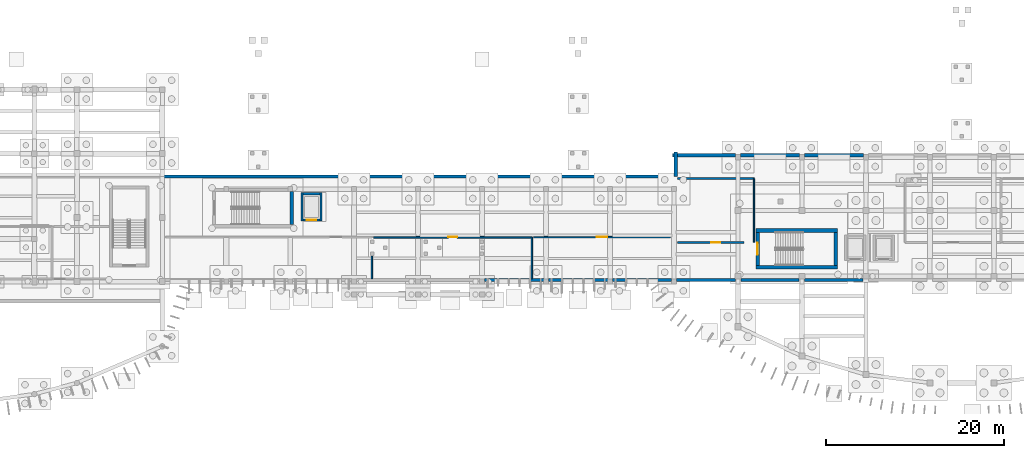
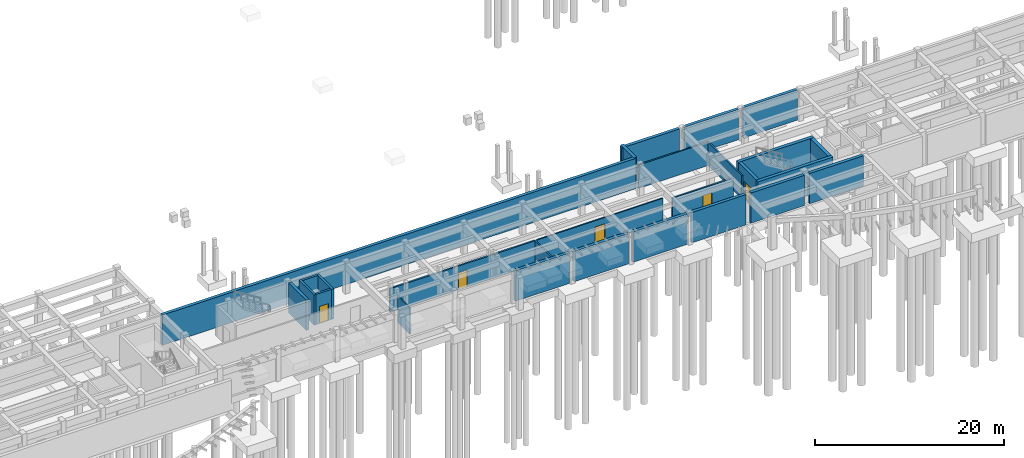
# One storey, part 17 of 31: 27 walls, 5 doors, 5 openings.
"""IFC4 building model written with IfcOpenShell, lengths in metres."""

from ifc_helpers import new_model, si_unit, direction, frame, frame_2d, origin, place, context, subcontext, project, spatial, rectangle, extrude, material, layer, layer_set, type_object, element, fill, save


model = new_model("IFC4")

# Units and contexts
model_context = context("Model", 3, precision=1e-05, world=origin(), true_north=direction((0.0, 1.0)))
body_context = subcontext(model_context, "Body", "Model", "MODEL_VIEW")
ifc_project = project(units=[si_unit("LENGTHUNIT", "METRE"), si_unit("AREAUNIT", "SQUARE_METRE"), si_unit("VOLUMEUNIT", "CUBIC_METRE"), si_unit("PLANEANGLEUNIT", "RADIAN"), si_unit("MASSUNIT", "GRAM", prefix="KILO")], contexts=[model_context])

# Site, building, storey
site_placement = place(None, origin())
site = spatial("IfcSite", under=ifc_project, at=site_placement, CompositionType="ELEMENT")
building_placement = place(site_placement, origin())
building = spatial("IfcBuilding", under=site, at=building_placement, Name="Brisavento Harbour Community Centre", CompositionType="ELEMENT")
storey_placement = place(building_placement, frame((0.0, 0.0, -4.199951171875)))
storey = spatial("IfcBuildingStorey", under=building, at=storey_placement, Name="B1", CompositionType="ELEMENT", Elevation=-4.199951171875)

# Walls
ifc_material_1 = material(Name="Concrete C35/45", Category="concrete")
ifc_layer_1 = layer(ifc_material_1, 0.3798828125, Name="Concrete C35/45")
ifc_layer_set_1 = layer_set([ifc_layer_1], Name="Concrete C35/45")
wall_type_1 = type_object("IfcWallType", Name="WL-B1-380", PredefinedType="SOLIDWALL", material=ifc_layer_set_1)
for number, where, z_axis, x_axis, name in (
    (1, (107.739990234375, 14.580078125, 0.0), (0.0, 0.0, 1.0), (-1.0, 0.0, 0.0), "B1 perimeter retaining wall 0006"),
    (2, (100.5400390625, 14.580078125, 0.0), (0.0, 0.0, 1.0), (-1.0, 0.0, 0.0), "B1 perimeter retaining wall 0007"),
):
    element("IfcWall", number, at=place(storey_placement, frame(where, z_axis=z_axis, x_axis=x_axis)), inside=storey, type_object=wall_type_1, Name=name, PredefinedType="SOLIDWALL", context=body_context, shape_type="SweptSolid", body=[
        extrude(rectangle(XDim=6.679931640625, YDim=0.3798828125, at=frame_2d((3.33984375, 0.0))), origin(), (0.0, 0.0, 1.0), 3.919921875),
    ])
wall_1_placement = place(storey_placement, frame((93.340087890625, 14.580078125, 0.0), z_axis=(0.0, 0.0, 1.0), x_axis=(-1.0, 0.0, 0.0)))
element("IfcWall", 3, at=wall_1_placement, inside=storey, type_object=wall_type_1, Name="B1 perimeter retaining wall 0008", PredefinedType="SOLIDWALL", context=body_context, shape_type="SweptSolid", body=[
    extrude(rectangle(XDim=6.68017578125, YDim=0.3798828125, at=frame_2d((3.340087890625, 0.0))), origin(), (0.0, 0.0, 1.0), 3.919921875),
])
wall_2_placement = place(storey_placement, frame((50.2099609375, 26.219970703125, 0.0), z_axis=(0.0, 0.0, 1.0), x_axis=(1.0, 0.0, 0.0)))
element("IfcWall", 4, at=wall_2_placement, inside=storey, type_object=wall_type_1, Name="B1 perimeter retaining wall 0014", PredefinedType="SOLIDWALL", context=body_context, shape_type="SweptSolid", body=[
    extrude(rectangle(XDim=57.97998046875, YDim=0.3798828125, at=frame_2d((28.989990234375, 0.0))), origin(), (0.0, 0.0, 1.0), 3.919921875),
])
for number, where, z_axis, x_axis, name in (
    (5, (129.2900390625, 14.580078125, 0.0), (0.0, 0.0, 1.0), (-1.0, 0.0, 0.0), "B1 perimeter retaining wall 0021"),
    (6, (122.090087890625, 14.580078125, 0.0), (0.0, 0.0, 1.0), (-1.0, 0.0, 0.0), "B1 perimeter retaining wall 0022"),
):
    element("IfcWall", number, at=place(storey_placement, frame(where, z_axis=z_axis, x_axis=x_axis)), inside=storey, type_object=wall_type_1, Name=name, PredefinedType="SOLIDWALL", context=body_context, shape_type="SweptSolid", body=[
        extrude(rectangle(XDim=6.580078125, YDim=0.3798828125, at=frame_2d((3.2900390625, 0.0))), origin(), (0.0, 0.0, 1.0), 3.919921875),
    ])
wall_3_placement = place(storey_placement, frame((114.889892578125, 14.580078125, 0.0), z_axis=(0.0, 0.0, 1.0), x_axis=(-1.0, 0.0, 0.0)))
element("IfcWall", 7, at=wall_3_placement, inside=storey, type_object=wall_type_1, Name="B1 perimeter retaining wall 0023", PredefinedType="SOLIDWALL", context=body_context, shape_type="SweptSolid", body=[
    extrude(rectangle(XDim=6.6298828125, YDim=0.3798828125, at=frame_2d((3.31494140625, 0.0))), origin(), (0.0, 0.0, 1.0), 3.919921875),
])
wall_4_placement = place(storey_placement, frame((107.81005859375, 28.6201171875, 0.0), z_axis=(0.0, 0.0, 1.0), x_axis=(1.0, 0.0, 0.0)))
element("IfcWall", 8, at=wall_4_placement, inside=storey, type_object=wall_type_1, Name="B1 perimeter retaining wall 0026", PredefinedType="SOLIDWALL", context=body_context, shape_type="SweptSolid", body=[
    extrude(rectangle(XDim=7.10498046875, YDim=0.3798828125, at=frame_2d((3.552490234375, 0.0))), origin(), (0.0, 0.0, 1.0), 3.919921875),
])
for number, where, z_axis, x_axis, name in (
    (9, (115.485107421875, 28.6201171875, 0.0), (0.0, 0.0, 1.0), (1.0, 0.0, 0.0), "B1 perimeter retaining wall 0027"),
    (10, (122.68505859375, 28.6201171875, 0.0), (0.0, 0.0, 1.0), (1.0, 0.0, 0.0), "B1 perimeter retaining wall 0028"),
):
    element("IfcWall", number, at=place(storey_placement, frame(where, z_axis=z_axis, x_axis=x_axis)), inside=storey, type_object=wall_type_1, Name=name, PredefinedType="SOLIDWALL", context=body_context, shape_type="SweptSolid", body=[
        extrude(rectangle(XDim=6.6298828125, YDim=0.3798828125, at=frame_2d((3.31494140625, 0.0))), origin(), (0.0, 0.0, 1.0), 3.919921875),
    ])
wall_5_placement = place(storey_placement, frame((108.179931640625, 26.2099609375, 0.0), z_axis=(0.0, 0.0, 1.0), x_axis=(0.0, 1.0, 0.0)))
element("IfcWall", 11, at=wall_5_placement, inside=storey, type_object=wall_type_1, Name="B1 perimeter retaining wall 0035", PredefinedType="SOLIDWALL", context=body_context, shape_type="SweptSolid", body=[
    extrude(rectangle(XDim=2.780029296875, YDim=0.3798828125, at=frame_2d((1.39013671875, 0.0))), origin(), (0.0, 0.0, 1.0), 3.919921875),
])
ifc_material_2 = material(Name="Concrete C40/50", Category="concrete")
ifc_layer_2 = layer(ifc_material_2, 0.35009765625, Name="Concrete C40/50")
ifc_layer_set_2 = layer_set([ifc_layer_2], Name="Concrete C40/50")
wall_type_2 = type_object("IfcWallType", Name="WL-CORE-350", PredefinedType="SHEAR", material=ifc_layer_set_2)
wall_6_placement = place(storey_placement, frame((64.97509765625, 20.800048828125, 0.0), z_axis=(0.0, 0.0, 1.0), x_axis=(0.0, 1.0, 0.0)))
element("IfcWall", 12, at=wall_6_placement, inside=storey, type_object=wall_type_2, Name="B1 core C2 shear wall F", PredefinedType="SHEAR", context=body_context, shape_type="SweptSolid", body=[
    extrude(rectangle(XDim=3.75, YDim=0.35009765625, at=frame_2d((1.875, 0.0))), origin(), (0.0, 0.0, 1.0), 3.919921875),
])
ifc_layer_3 = layer(ifc_material_2, 0.39990234375, Name="Concrete C40/50")
ifc_layer_set_3 = layer_set([ifc_layer_3], Name="Concrete C40/50")
wall_type_3 = type_object("IfcWallType", Name="WL-CORE-400", PredefinedType="SHEAR", material=ifc_layer_set_3)
for number, where, z_axis, x_axis, name in (
    (13, (117.199951171875, 16.0, 0.0), (0.0, 0.0, 1.0), (1.0, 0.0, 0.0), "B1 core C3A shear wall L"),
    (14, (126.39990234375, 20.14990234375, 0.0), (0.0, 0.0, 1.0), (-1.0, 0.0, 0.0), "B1 core C3A shear wall R"),
):
    element("IfcWall", number, at=place(storey_placement, frame(where, z_axis=z_axis, x_axis=x_axis)), inside=storey, type_object=wall_type_3, Name=name, PredefinedType="SHEAR", context=body_context, shape_type="SweptSolid", body=[
        extrude(rectangle(XDim=9.199951171875, YDim=0.39990234375, at=frame_2d((4.60009765625, 0.0))), origin(), (0.0, 0.0, 1.0), 3.919921875),
    ])
wall_7_placement = place(storey_placement, frame((126.199951171875, 16.199951171875, 0.0), z_axis=(0.0, 0.0, 1.0), x_axis=(0.0, 1.0, 0.0)))
element("IfcWall", 15, at=wall_7_placement, inside=storey, type_object=wall_type_3, Name="B1 core C3A shear wall F", PredefinedType="SHEAR", context=body_context, shape_type="SweptSolid", body=[
    extrude(rectangle(XDim=3.75, YDim=0.39990234375, at=frame_2d((1.875, 0.0))), origin(), (0.0, 0.0, 1.0), 3.919921875),
])

# Wall, opening, door
wall_8_placement = place(storey_placement, frame((117.39990234375, 19.949951171875, 0.0), z_axis=(0.0, 0.0, 1.0), x_axis=(0.0, -1.0, 0.0)))
wall_8 = element("IfcWall", 16, at=wall_8_placement, inside=storey, type_object=wall_type_3, Name="B1 core C3A shear wall N", PredefinedType="SHEAR", context=body_context, shape_type="SweptSolid", body=[
    extrude(rectangle(XDim=3.75, YDim=0.39990234375, at=frame_2d((1.875, 0.0))), origin(), (0.0, 0.0, 1.0), 3.919921875),
])
opening_1_placement = place(wall_8_placement, frame((1.199951171875, 0.0, 0.0)))
opening_1 = element("IfcOpeningElement", 17, at=opening_1_placement, cuts=wall_8, Name="Opening SD-02", PredefinedType="OPENING", context=body_context, shape_type="SweptSolid", body=[
    extrude(rectangle(XDim=1.35009765625, YDim=2.199951171875, at=frame_2d((0.675048828125, 1.10009765625))), frame((0.0, 0.2099609375, 0.0), z_axis=(0.0, -1.0, 0.0), x_axis=(1.0, 0.0, 0.0)), (0.0, 0.0, 1.0), 0.419921875),
])
ifc_material_3 = material(Name="Fire-rated steel door assembly", Category="steel")
door_type_1 = type_object("IfcDoorType", Name="DR-STAIR-135x220", OperationType="NOTDEFINED", PredefinedType="DOOR", material=ifc_material_3)
door_1_placement = place(opening_1_placement, origin())
door_1 = element("IfcDoor", 18, at=door_1_placement, inside=storey, type_object=door_type_1, Name="B1 exit stair ST-04 fire door", OperationType="SINGLE_SWING_LEFT", OverallHeight=2.199951171875, OverallWidth=1.35009765625, PredefinedType="DOOR", context=body_context, shape_type="SweptSolid", body=[
    extrude(rectangle(XDim=1.35009765625, YDim=2.199951171875, at=frame_2d((0.675048828125, 1.10009765625))), frame((0.0, 0.02490234375, 0.0), z_axis=(0.0, -1.0, 0.0), x_axis=(1.0, 0.0, 0.0)), (0.0, 0.0, 1.0), 0.050048828125),
])
fill(opening_1, door_1)

ifc_material_4 = material(Name="Concrete masonry blockwork", Category="masonry")
ifc_layer_4 = layer(ifc_material_4, 0.199951171875, Name="Concrete masonry blockwork")
ifc_layer_set_4 = layer_set([ifc_layer_4], Name="Concrete masonry blockwork")
wall_type_4 = type_object("IfcWallType", Name="WL-FIR-200", PredefinedType="PARTITIONING", material=ifc_layer_set_4)
wall_9_placement = place(storey_placement, frame((92.0, 19.39990234375, 0.0), z_axis=(0.0, 0.0, 1.0), x_axis=(-1.0, 0.0, 0.0)))
wall_9 = element("IfcWall", 19, at=wall_9_placement, inside=storey, type_object=wall_type_4, Name="B1 Potable Water Pump Plant Room partition 0018", PredefinedType="PARTITIONING", context=body_context, shape_type="SweptSolid", body=[
    extrude(rectangle(XDim=17.800048828125, YDim=0.199951171875, at=frame_2d((8.89990234375, 0.0))), origin(), (0.0, 0.0, 1.0), 3.02001953125),
])
opening_2_placement = place(wall_9_placement, frame((8.375, 0.0, 0.0)))
opening_2 = element("IfcOpeningElement", 20, at=opening_2_placement, cuts=wall_9, Name="Opening FD-02", PredefinedType="OPENING", context=body_context, shape_type="SweptSolid", body=[
    extrude(rectangle(XDim=1.050048828125, YDim=2.14990234375, at=frame_2d((0.52490234375, 1.074951171875))), frame((0.0, 0.10986328125, 0.0), z_axis=(0.0, -1.0, 0.0), x_axis=(1.0, 0.0, 0.0)), (0.0, 0.0, 1.0), 0.219970703125),
])
ifc_material_5 = material(Name="Fire-rated hardwood door", Category="wood")
door_type_2 = type_object("IfcDoorType", Name="DR-FIRE-105x215", OperationType="NOTDEFINED", PredefinedType="DOOR", material=ifc_material_5)
door_2_placement = place(opening_2_placement, origin())
door_2 = element("IfcDoor", 21, at=door_2_placement, inside=storey, type_object=door_type_2, Name="B1 Potable Water Pump Plant Room door 0006", OperationType="SINGLE_SWING_LEFT", OverallHeight=2.14990234375, OverallWidth=1.050048828125, PredefinedType="DOOR", context=body_context, shape_type="SweptSolid", body=[
    extrude(rectangle(XDim=1.050048828125, YDim=2.14990234375, at=frame_2d((0.52490234375, 1.074951171875))), frame((0.0, 0.02490234375, 0.0), z_axis=(0.0, -1.0, 0.0), x_axis=(1.0, 0.0, 0.0)), (0.0, 0.0, 1.0), 0.050048828125),
])
fill(opening_2, door_2)

wall_10_placement = place(storey_placement, frame((108.39990234375, 18.800048828125, 0.0), z_axis=(0.0, 0.0, 1.0), x_axis=(1.0, 0.0, 0.0)))
wall_10 = element("IfcWall", 22, at=wall_10_placement, inside=storey, type_object=wall_type_4, Name="B1 Medium Voltage Transformer Substation partition 0021", PredefinedType="PARTITIONING", context=body_context, shape_type="SweptSolid", body=[
    extrude(rectangle(XDim=7.4501953125, YDim=0.199951171875, at=frame_2d((3.72509765625, 0.0))), origin(), (0.0, 0.0, 1.0), 3.119873046875),
])
opening_3_placement = place(wall_10_placement, frame((3.77490234375, 0.0, 0.0)))
opening_3 = element("IfcOpeningElement", 23, at=opening_3_placement, cuts=wall_10, Name="Opening FD-02", PredefinedType="OPENING", context=body_context, shape_type="SweptSolid", body=[
    extrude(rectangle(XDim=1.050048828125, YDim=2.14990234375, at=frame_2d((0.52490234375, 1.074951171875))), frame((0.0, 0.10986328125, 0.0), z_axis=(0.0, -1.0, 0.0), x_axis=(1.0, 0.0, 0.0)), (0.0, 0.0, 1.0), 0.219970703125),
])
door_3_placement = place(opening_3_placement, origin())
door_3 = element("IfcDoor", 24, at=door_3_placement, inside=storey, type_object=door_type_2, Name="B1 Medium Voltage Transformer Substation door 0008", OperationType="SINGLE_SWING_LEFT", OverallHeight=2.14990234375, OverallWidth=1.050048828125, PredefinedType="DOOR", context=body_context, shape_type="SweptSolid", body=[
    extrude(rectangle(XDim=1.050048828125, YDim=2.14990234375, at=frame_2d((0.52490234375, 1.074951171875))), frame((0.0, 0.02490234375, 0.0), z_axis=(0.0, -1.0, 0.0), x_axis=(1.0, 0.0, 0.0)), (0.0, 0.0, 1.0), 0.050048828125),
])
fill(opening_3, door_3)

# Wall
ifc_material_6 = material(Name="Acoustic gypsum stud partition", Category="other")
ifc_layer_5 = layer(ifc_material_6, 0.159912109375, Name="Acoustic gypsum stud partition")
ifc_layer_set_5 = layer_set([ifc_layer_5], Name="Acoustic gypsum stud partition")
wall_type_5 = type_object("IfcWallType", Name="WL-PRT-160", PredefinedType="PARTITIONING", material=ifc_layer_set_5)
wall_11_placement = place(storey_placement, frame((74.0, 14.699951171875, 0.0), z_axis=(0.0, 0.0, 1.0), x_axis=(0.0, 1.0, 0.0)))
element("IfcWall", 25, at=wall_11_placement, inside=storey, type_object=wall_type_5, Name="B1 Harvested Rainwater Storage Cistern partition 0017", PredefinedType="PARTITIONING", context=body_context, shape_type="SweptSolid", body=[
    extrude(rectangle(XDim=2.570068359375, YDim=0.159912109375, at=frame_2d((1.28515625, 0.0))), origin(), (0.0, 0.0, 1.0), 3.43994140625),
])

# Wall, opening, door
wall_12_placement = place(storey_placement, frame((107.60009765625, 19.39990234375, 0.0), z_axis=(0.0, 0.0, 1.0), x_axis=(-1.0, 0.0, 0.0)))
wall_12 = element("IfcWall", 26, at=wall_12_placement, inside=storey, type_object=wall_type_5, Name="B1 Standby Generator Room partition 0020", PredefinedType="PARTITIONING", context=body_context, shape_type="SweptSolid", body=[
    extrude(rectangle(XDim=15.400146484375, YDim=0.159912109375, at=frame_2d((7.7001953125, 0.0))), origin(), (0.0, 0.0, 1.0), 3.02001953125),
])
opening_4_placement = place(wall_12_placement, frame((7.10009765625, 0.0, 0.0)))
opening_4 = element("IfcOpeningElement", 27, at=opening_4_placement, cuts=wall_12, Name="Opening FD-01", PredefinedType="OPENING", context=body_context, shape_type="SweptSolid", body=[
    extrude(rectangle(XDim=1.199951171875, YDim=2.199951171875, at=frame_2d((0.60009765625, 1.10009765625))), frame((0.0, 0.08984375, 0.0), z_axis=(0.0, -1.0, 0.0), x_axis=(1.0, 0.0, 0.0)), (0.0, 0.0, 1.0), 0.179931640625),
])
door_type_3 = type_object("IfcDoorType", Name="DR-FIRE-120x220", OperationType="NOTDEFINED", PredefinedType="DOOR", material=ifc_material_5)
door_4_placement = place(opening_4_placement, origin())
door_4 = element("IfcDoor", 28, at=door_4_placement, inside=storey, type_object=door_type_3, Name="B1 Standby Generator Room door 0007", OperationType="SINGLE_SWING_RIGHT", OverallHeight=2.199951171875, OverallWidth=1.199951171875, PredefinedType="DOOR", context=body_context, shape_type="SweptSolid", body=[
    extrude(rectangle(XDim=1.199951171875, YDim=2.199951171875, at=frame_2d((0.60009765625, 1.10009765625))), frame((0.0, 0.02490234375, 0.0), z_axis=(0.0, -1.0, 0.0), x_axis=(1.0, 0.0, 0.0)), (0.0, 0.0, 1.0), 0.050048828125),
])
fill(opening_4, door_4)

# Walls
wall_13_placement = place(storey_placement, frame((117.0, 18.800048828125, 0.0), z_axis=(0.0, 0.0, 1.0), x_axis=(0.0, 1.0, 0.0)))
element("IfcWall", 29, at=wall_13_placement, inside=storey, type_object=wall_type_5, Name="B1 Medium Voltage Transformer Substation partition 0023", PredefinedType="PARTITIONING", context=body_context, shape_type="SweptSolid", body=[
    extrude(rectangle(XDim=7.199951171875, YDim=0.159912109375, at=frame_2d((3.60009765625, 0.0))), origin(), (0.0, 0.0, 1.0), 3.02001953125),
])
ifc_layer_6 = layer(ifc_material_6, 0.179931640625, Name="Acoustic gypsum stud partition")
ifc_layer_set_6 = layer_set([ifc_layer_6], Name="Acoustic gypsum stud partition")
wall_type_6 = type_object("IfcWallType", Name="WL-PRT-180", PredefinedType="PARTITIONING", material=ifc_layer_set_6)
wall_14_placement = place(storey_placement, frame((92.0, 14.699951171875, 0.0), z_axis=(0.0, 0.0, 1.0), x_axis=(0.0, 1.0, 0.0)))
element("IfcWall", 30, at=wall_14_placement, inside=storey, type_object=wall_type_6, Name="B1 Potable Water Pump Plant Room partition 0019", PredefinedType="PARTITIONING", context=body_context, shape_type="SweptSolid", body=[
    extrude(rectangle(XDim=4.699951171875, YDim=0.179931640625, at=frame_2d((2.35009765625, 0.0))), origin(), (0.0, 0.0, 1.0), 3.02001953125),
])
wall_15_placement = place(storey_placement, frame((117.0, 26.0, 0.0), z_axis=(0.0, 0.0, 1.0), x_axis=(-1.0, 0.0, 0.0)))
element("IfcWall", 31, at=wall_15_placement, inside=storey, type_object=wall_type_6, Name="B1 Medium Voltage Transformer Substation partition 0022", PredefinedType="PARTITIONING", context=body_context, shape_type="SweptSolid", body=[
    extrude(rectangle(XDim=8.60009765625, YDim=0.179931640625, at=frame_2d((4.300048828125, 0.0))), origin(), (0.0, 0.0, 1.0), 3.02001953125),
])
ifc_layer_7 = layer(ifc_material_1, 0.25, Name="Concrete C35/45")
ifc_layer_set_7 = layer_set([ifc_layer_7], Name="Concrete C35/45")
wall_type_7 = type_object("IfcWallType", Name="WL-SHF-250", PredefinedType="SOLIDWALL", material=ifc_layer_set_7)
for number, where, z_axis, x_axis, name in (
    (32, (66.125, 21.199951171875, 0.0), (0.0, 0.0, 1.0), (0.0, 1.0, 0.0), "B1 lift LC-04 shaft wall W"),
    (33, (68.27490234375, 24.39990234375, 0.0), (0.0, 0.0, 1.0), (0.0, -1.0, 0.0), "B1 lift LC-04 shaft wall E"),
):
    element("IfcWall", number, at=place(storey_placement, frame(where, z_axis=z_axis, x_axis=x_axis)), inside=storey, type_object=wall_type_7, Name=name, PredefinedType="SOLIDWALL", context=body_context, shape_type="SweptSolid", body=[
        extrude(rectangle(XDim=3.199951171875, YDim=0.25, at=frame_2d((1.60009765625, 0.0))), origin(), (0.0, 0.0, 1.0), 3.919921875),
    ])

# Wall, opening, door
wall_16_placement = place(storey_placement, frame((66.25, 21.324951171875, 0.0), z_axis=(0.0, 0.0, 1.0), x_axis=(1.0, 0.0, 0.0)))
wall_16 = element("IfcWall", 34, at=wall_16_placement, inside=storey, type_object=wall_type_7, Name="B1 lift LC-04 shaft wall S", PredefinedType="SOLIDWALL", context=body_context, shape_type="SweptSolid", body=[
    extrude(rectangle(XDim=1.89990234375, YDim=0.25, at=frame_2d((0.949951171875, 0.0))), origin(), (0.0, 0.0, 1.0), 3.919921875),
])
opening_5_placement = place(wall_16_placement, frame((0.39990234375, 0.0, 0.0)))
opening_5 = element("IfcOpeningElement", 35, at=opening_5_placement, cuts=wall_16, Name="Opening LD-01", PredefinedType="OPENING", context=body_context, shape_type="SweptSolid", body=[
    extrude(rectangle(XDim=1.10009765625, YDim=2.199951171875, at=frame_2d((0.550048828125, 1.10009765625))), frame((0.0, 0.135009765625, 0.0), z_axis=(0.0, -1.0, 0.0), x_axis=(1.0, 0.0, 0.0)), (0.0, 0.0, 1.0), 0.27001953125),
])
ifc_material_7 = material(Name="Stainless steel 1.4401", Category="steel")
door_type_4 = type_object("IfcDoorType", Name="DR-LIFT-110x220", OperationType="DOUBLE_DOOR_SLIDING", PredefinedType="DOOR", material=ifc_material_7)
door_5_placement = place(opening_5_placement, origin())
door_5 = element("IfcDoor", 36, at=door_5_placement, inside=storey, type_object=door_type_4, Name="B1 lift LC-04 landing sliding door", OperationType="DOUBLE_DOOR_SLIDING", OverallHeight=2.199951171875, OverallWidth=1.10009765625, PredefinedType="DOOR", context=body_context, shape_type="SweptSolid", body=[
    extrude(rectangle(XDim=1.10009765625, YDim=2.199951171875, at=frame_2d((0.550048828125, 1.10009765625))), frame((0.0, 0.02490234375, 0.0), z_axis=(0.0, -1.0, 0.0), x_axis=(1.0, 0.0, 0.0)), (0.0, 0.0, 1.0), 0.050048828125),
])
fill(opening_5, door_5)

# Wall
wall_17_placement = place(storey_placement, frame((68.14990234375, 24.27490234375, 0.0), z_axis=(0.0, 0.0, 1.0), x_axis=(-1.0, 0.0, 0.0)))
element("IfcWall", 37, at=wall_17_placement, inside=storey, type_object=wall_type_7, Name="B1 lift LC-04 shaft wall N", PredefinedType="SOLIDWALL", context=body_context, shape_type="SweptSolid", body=[
    extrude(rectangle(XDim=1.89990234375, YDim=0.25, at=frame_2d((0.949951171875, 0.0))), origin(), (0.0, 0.0, 1.0), 3.919921875),
])

save(model, "model.ifc")
